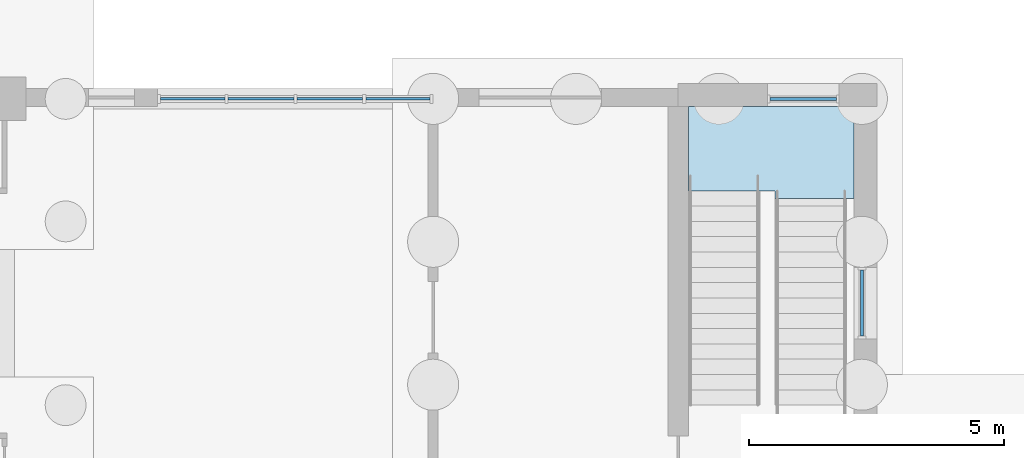
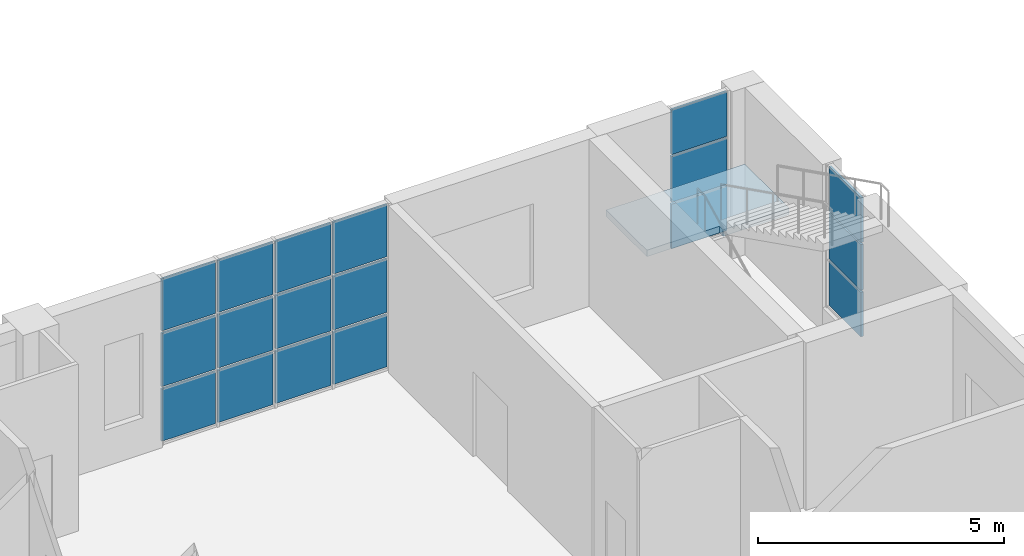
# One storey, part 92 of 138: 18 plates, 1 slab, 4 elements without a shape of their own.
"""IFC4 building model written with IfcOpenShell, lengths in metres."""

from ifc_helpers import new_model, si_unit, direction, frame, origin, origin_2d, place, context, subcontext, project, spatial, polyline, rectangle, outline, extrude, material, layer, layer_set, type_object, element, aggregate, save


model = new_model("IFC4")

# Units and contexts
model_context = context("Model", 3, precision=1e-05, world=origin(), true_north=direction((0.0, 1.0)))
body_context = subcontext(model_context, "Body", "Model", "MODEL_VIEW")
ifc_project = project(units=[si_unit("LENGTHUNIT", "METRE"), si_unit("AREAUNIT", "SQUARE_METRE"), si_unit("VOLUMEUNIT", "CUBIC_METRE"), si_unit("PLANEANGLEUNIT", "RADIAN"), si_unit("MASSUNIT", "GRAM", prefix="KILO")], contexts=[model_context])

# Site, building, storey
site_placement = place(None, origin())
site = spatial("IfcSite", under=ifc_project, at=site_placement, CompositionType="ELEMENT")
building_placement = place(site_placement, origin())
building = spatial("IfcBuilding", under=site, at=building_placement, Name="Yavir Park General Hospital", CompositionType="ELEMENT")
storey_placement = place(building_placement, origin())
storey = spatial("IfcBuildingStorey", under=building, at=storey_placement, Name="L00", CompositionType="ELEMENT", Elevation=0.0)

# Stair, slab
ifc_material_1 = material(Name="Concrete C30/37", Category="concrete")
stair_type = type_object("IfcStairType", Name="Patient escape stair, 30 risers of 150 mm, 1400 mm flights", PredefinedType="HALF_TURN_STAIR", material=ifc_material_1)
stair_placement = place(storey_placement, origin())
stair = element("IfcStair", 1, at=stair_placement, inside=storey, type_object=stair_type, Name="Stair SW3, L00 to L01", PredefinedType="HALF_TURN_STAIR")
ifc_material_2 = material(Name="Concrete C30/37", Category="concrete")
ifc_layer_1 = layer(ifc_material_2, 0.159912109375)
ifc_layer_set_1 = layer_set([ifc_layer_1], Name="Concrete C30/37")
slab_type = type_object("IfcSlabType", Name="Patient escape stair half landing, reinforced concrete 160 mm", PredefinedType="LANDING", material=ifc_layer_set_1)
slab_placement = place(storey_placement, frame((0.0, 0.0, 2.090087890625)))
slab = element("IfcSlab", 2, at=slab_placement, type_object=slab_type, Name="SW3 landing 1", PredefinedType="LANDING", context=body_context, shape_type="SweptSolid", body=[
    extrude(outline(polyline([(21.800048828125, 115.798583984375), (21.800048828125, 117.449951171875), (25.050048828125, 117.449951171875), (25.050048828125, 115.64990234375), (23.5, 115.64990234375), (23.5, 115.798583984375), (21.800048828125, 115.798583984375)])), origin(), (0.0, 0.0, 1.0), 0.159912109375),
])
aggregate(stair, [slab])

# Curtain wall, plates
ifc_material_3 = material(Name="Aluminium curtain wall frame with insulated glazing", Category="aluminium")
curtain_wall_type_1 = type_object("IfcCurtainWallType", Name="Reception glazing, 4140 high, 1400 module", PredefinedType="NOTDEFINED", material=ifc_material_3)
curtain_wall_1_placement = place(storey_placement, origin())
curtain_wall_1 = element("IfcCurtainWall", 3, at=curtain_wall_1_placement, inside=storey, type_object=curtain_wall_type_1, Name="CW51 L00-035", PredefinedType="NOTDEFINED")
ifc_material_4 = material(Name="Security glazed unit 50 mm")
ifc_layer_2 = layer(ifc_material_4, 0.050048828125)
ifc_layer_set_2 = layer_set([ifc_layer_2], Name="Security glazed unit 50 mm")
plate_type_1 = type_object("IfcPlateType", Name="Reception glazing, 4140 high panel 50", PredefinedType="CURTAIN_PANEL", material=ifc_layer_set_2)
plate_1_placement = place(storey_placement, frame((12.090087890625, 117.60009765625, 0.06005859375), z_axis=(0.0, 0.0, 1.0), x_axis=(1.0, 0.0, 0.0)))
plate_1 = element("IfcPlate", 4, at=plate_1_placement, type_object=plate_type_1, Name="CW51 panel 1.1", PredefinedType="CURTAIN_PANEL", context=body_context, shape_type="SweptSolid", body=[
    extrude(rectangle(XDim=1.260009765625, YDim=0.050048828125, at=origin_2d()), origin(), (0.0, 0.0, 1.0), 1.2900390625),
])
plate_2_placement = place(storey_placement, frame((12.090087890625, 117.60009765625, 1.41015625), z_axis=(0.0, 0.0, 1.0), x_axis=(1.0, 0.0, 0.0)))
plate_2 = element("IfcPlate", 5, at=plate_2_placement, type_object=plate_type_1, Name="CW51 panel 1.2", PredefinedType="CURTAIN_PANEL", context=body_context, shape_type="SweptSolid", body=[
    extrude(rectangle(XDim=1.260009765625, YDim=0.050048828125, at=origin_2d()), origin(), (0.0, 0.0, 1.0), 1.320068359375),
])
plate_3_placement = place(storey_placement, frame((12.090087890625, 117.60009765625, 2.7900390625), z_axis=(0.0, 0.0, 1.0), x_axis=(1.0, 0.0, 0.0)))
plate_3 = element("IfcPlate", 6, at=plate_3_placement, type_object=plate_type_1, Name="CW51 panel 1.3", PredefinedType="CURTAIN_PANEL", context=body_context, shape_type="SweptSolid", body=[
    extrude(rectangle(XDim=1.260009765625, YDim=0.050048828125, at=origin_2d()), origin(), (0.0, 0.0, 1.0), 1.2900390625),
])
plate_4_placement = place(storey_placement, frame((13.425048828125, 117.60009765625, 0.06005859375), z_axis=(0.0, 0.0, 1.0), x_axis=(1.0, 0.0, 0.0)))
plate_4 = element("IfcPlate", 7, at=plate_4_placement, type_object=plate_type_1, Name="CW51 panel 2.1", PredefinedType="CURTAIN_PANEL", context=body_context, shape_type="SweptSolid", body=[
    extrude(rectangle(XDim=1.2900390625, YDim=0.050048828125, at=origin_2d()), origin(), (0.0, 0.0, 1.0), 1.2900390625),
])
plate_5_placement = place(storey_placement, frame((13.425048828125, 117.60009765625, 1.41015625), z_axis=(0.0, 0.0, 1.0), x_axis=(1.0, 0.0, 0.0)))
plate_5 = element("IfcPlate", 8, at=plate_5_placement, type_object=plate_type_1, Name="CW51 panel 2.2", PredefinedType="CURTAIN_PANEL", context=body_context, shape_type="SweptSolid", body=[
    extrude(rectangle(XDim=1.2900390625, YDim=0.050048828125, at=origin_2d()), origin(), (0.0, 0.0, 1.0), 1.320068359375),
])
plate_6_placement = place(storey_placement, frame((13.425048828125, 117.60009765625, 2.7900390625), z_axis=(0.0, 0.0, 1.0), x_axis=(1.0, 0.0, 0.0)))
plate_6 = element("IfcPlate", 9, at=plate_6_placement, type_object=plate_type_1, Name="CW51 panel 2.3", PredefinedType="CURTAIN_PANEL", context=body_context, shape_type="SweptSolid", body=[
    extrude(rectangle(XDim=1.2900390625, YDim=0.050048828125, at=origin_2d()), origin(), (0.0, 0.0, 1.0), 1.2900390625),
])
plate_7_placement = place(storey_placement, frame((14.77490234375, 117.60009765625, 0.06005859375), z_axis=(0.0, 0.0, 1.0), x_axis=(1.0, 0.0, 0.0)))
plate_7 = element("IfcPlate", 10, at=plate_7_placement, type_object=plate_type_1, Name="CW51 panel 3.1", PredefinedType="CURTAIN_PANEL", context=body_context, shape_type="SweptSolid", body=[
    extrude(rectangle(XDim=1.2900390625, YDim=0.050048828125, at=origin_2d()), origin(), (0.0, 0.0, 1.0), 1.2900390625),
])
plate_8_placement = place(storey_placement, frame((14.77490234375, 117.60009765625, 1.41015625), z_axis=(0.0, 0.0, 1.0), x_axis=(1.0, 0.0, 0.0)))
plate_8 = element("IfcPlate", 11, at=plate_8_placement, type_object=plate_type_1, Name="CW51 panel 3.2", PredefinedType="CURTAIN_PANEL", context=body_context, shape_type="SweptSolid", body=[
    extrude(rectangle(XDim=1.2900390625, YDim=0.050048828125, at=origin_2d()), origin(), (0.0, 0.0, 1.0), 1.320068359375),
])
plate_9_placement = place(storey_placement, frame((14.77490234375, 117.60009765625, 2.7900390625), z_axis=(0.0, 0.0, 1.0), x_axis=(1.0, 0.0, 0.0)))
plate_9 = element("IfcPlate", 12, at=plate_9_placement, type_object=plate_type_1, Name="CW51 panel 3.3", PredefinedType="CURTAIN_PANEL", context=body_context, shape_type="SweptSolid", body=[
    extrude(rectangle(XDim=1.2900390625, YDim=0.050048828125, at=origin_2d()), origin(), (0.0, 0.0, 1.0), 1.2900390625),
])
plate_10_placement = place(storey_placement, frame((16.110107421875, 117.60009765625, 0.06005859375), z_axis=(0.0, 0.0, 1.0), x_axis=(1.0, 0.0, 0.0)))
plate_10 = element("IfcPlate", 13, at=plate_10_placement, type_object=plate_type_1, Name="CW51 panel 4.1", PredefinedType="CURTAIN_PANEL", context=body_context, shape_type="SweptSolid", body=[
    extrude(rectangle(XDim=1.260009765625, YDim=0.050048828125, at=origin_2d()), origin(), (0.0, 0.0, 1.0), 1.2900390625),
])
plate_11_placement = place(storey_placement, frame((16.110107421875, 117.60009765625, 1.41015625), z_axis=(0.0, 0.0, 1.0), x_axis=(1.0, 0.0, 0.0)))
plate_11 = element("IfcPlate", 14, at=plate_11_placement, type_object=plate_type_1, Name="CW51 panel 4.2", PredefinedType="CURTAIN_PANEL", context=body_context, shape_type="SweptSolid", body=[
    extrude(rectangle(XDim=1.260009765625, YDim=0.050048828125, at=origin_2d()), origin(), (0.0, 0.0, 1.0), 1.320068359375),
])
plate_12_placement = place(storey_placement, frame((16.110107421875, 117.60009765625, 2.7900390625), z_axis=(0.0, 0.0, 1.0), x_axis=(1.0, 0.0, 0.0)))
plate_12 = element("IfcPlate", 15, at=plate_12_placement, type_object=plate_type_1, Name="CW51 panel 4.3", PredefinedType="CURTAIN_PANEL", context=body_context, shape_type="SweptSolid", body=[
    extrude(rectangle(XDim=1.260009765625, YDim=0.050048828125, at=origin_2d()), origin(), (0.0, 0.0, 1.0), 1.2900390625),
])
aggregate(curtain_wall_1, [plate_1, plate_2, plate_3, plate_4, plate_5, plate_6, plate_7, plate_8, plate_9, plate_10, plate_11, plate_12])

ifc_material_5 = material(Name="Aluminium curtain wall frame with insulated glazing", Category="aluminium")
curtain_wall_type_2 = type_object("IfcCurtainWallType", Name="Stair light slot, ground floor, 3540 high, 1400 module", PredefinedType="NOTDEFINED", material=ifc_material_5)
curtain_wall_2_placement = place(storey_placement, origin())
curtain_wall_2 = element("IfcCurtainWall", 16, at=curtain_wall_2_placement, inside=storey, type_object=curtain_wall_type_2, Name="CW19 L00-036", PredefinedType="NOTDEFINED")
ifc_material_6 = material(Name="Impact-resistant glazed unit 60 mm")
ifc_layer_3 = layer(ifc_material_6, 0.06005859375)
ifc_layer_set_3 = layer_set([ifc_layer_3], Name="Impact-resistant glazed unit 60 mm")
plate_type_2 = type_object("IfcPlateType", Name="Stair light slot, ground floor, 3540 high panel 60", PredefinedType="CURTAIN_PANEL", material=ifc_layer_set_3)
plate_13_placement = place(storey_placement, frame((24.050048828125, 117.60009765625, 0.64990234375), z_axis=(0.0, 0.0, 1.0), x_axis=(1.0, 0.0, 0.0)))
plate_13 = element("IfcPlate", 17, at=plate_13_placement, type_object=plate_type_2, Name="CW19 panel 1.1", PredefinedType="CURTAIN_PANEL", context=body_context, shape_type="SweptSolid", body=[
    extrude(rectangle(XDim=1.300048828125, YDim=0.06005859375, at=origin_2d()), origin(), (0.0, 0.0, 1.0), 1.10498046875),
])
plate_14_placement = place(storey_placement, frame((24.050048828125, 117.60009765625, 1.80517578125), z_axis=(0.0, 0.0, 1.0), x_axis=(1.0, 0.0, 0.0)))
plate_14 = element("IfcPlate", 18, at=plate_14_placement, type_object=plate_type_2, Name="CW19 panel 1.2", PredefinedType="CURTAIN_PANEL", context=body_context, shape_type="SweptSolid", body=[
    extrude(rectangle(XDim=1.300048828125, YDim=0.06005859375, at=origin_2d()), origin(), (0.0, 0.0, 1.0), 1.1298828125),
])
plate_15_placement = place(storey_placement, frame((24.050048828125, 117.60009765625, 2.985107421875), z_axis=(0.0, 0.0, 1.0), x_axis=(1.0, 0.0, 0.0)))
plate_15 = element("IfcPlate", 19, at=plate_15_placement, type_object=plate_type_2, Name="CW19 panel 1.3", PredefinedType="CURTAIN_PANEL", context=body_context, shape_type="SweptSolid", body=[
    extrude(rectangle(XDim=1.300048828125, YDim=0.06005859375, at=origin_2d()), origin(), (0.0, 0.0, 1.0), 1.10498046875),
])
aggregate(curtain_wall_2, [plate_13, plate_14, plate_15])

curtain_wall_3_placement = place(storey_placement, origin())
curtain_wall_3 = element("IfcCurtainWall", 20, at=curtain_wall_3_placement, inside=storey, type_object=curtain_wall_type_2, Name="CW19 L00-044", PredefinedType="NOTDEFINED")
plate_16_placement = place(storey_placement, frame((25.199951171875, 113.60009765625, 0.64990234375), z_axis=(0.0, 0.0, 1.0), x_axis=(0.0, 1.0, 0.0)))
plate_16 = element("IfcPlate", 21, at=plate_16_placement, type_object=plate_type_2, Name="CW19 panel 1.1", PredefinedType="CURTAIN_PANEL", context=body_context, shape_type="SweptSolid", body=[
    extrude(rectangle(XDim=1.300048828125, YDim=0.06005859375, at=origin_2d()), origin(), (0.0, 0.0, 1.0), 1.10498046875),
])
plate_17_placement = place(storey_placement, frame((25.199951171875, 113.60009765625, 1.80517578125), z_axis=(0.0, 0.0, 1.0), x_axis=(0.0, 1.0, 0.0)))
plate_17 = element("IfcPlate", 22, at=plate_17_placement, type_object=plate_type_2, Name="CW19 panel 1.2", PredefinedType="CURTAIN_PANEL", context=body_context, shape_type="SweptSolid", body=[
    extrude(rectangle(XDim=1.300048828125, YDim=0.06005859375, at=origin_2d()), origin(), (0.0, 0.0, 1.0), 1.1298828125),
])
plate_18_placement = place(storey_placement, frame((25.199951171875, 113.60009765625, 2.985107421875), z_axis=(0.0, 0.0, 1.0), x_axis=(0.0, 1.0, 0.0)))
plate_18 = element("IfcPlate", 23, at=plate_18_placement, type_object=plate_type_2, Name="CW19 panel 1.3", PredefinedType="CURTAIN_PANEL", context=body_context, shape_type="SweptSolid", body=[
    extrude(rectangle(XDim=1.300048828125, YDim=0.06005859375, at=origin_2d()), origin(), (0.0, 0.0, 1.0), 1.10498046875),
])
aggregate(curtain_wall_3, [plate_16, plate_17, plate_18])

save(model, "model.ifc")
